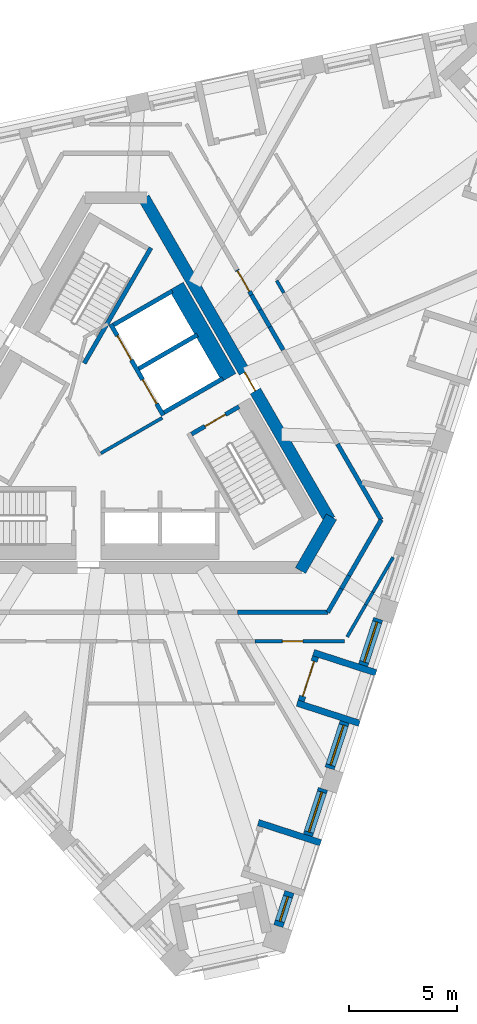
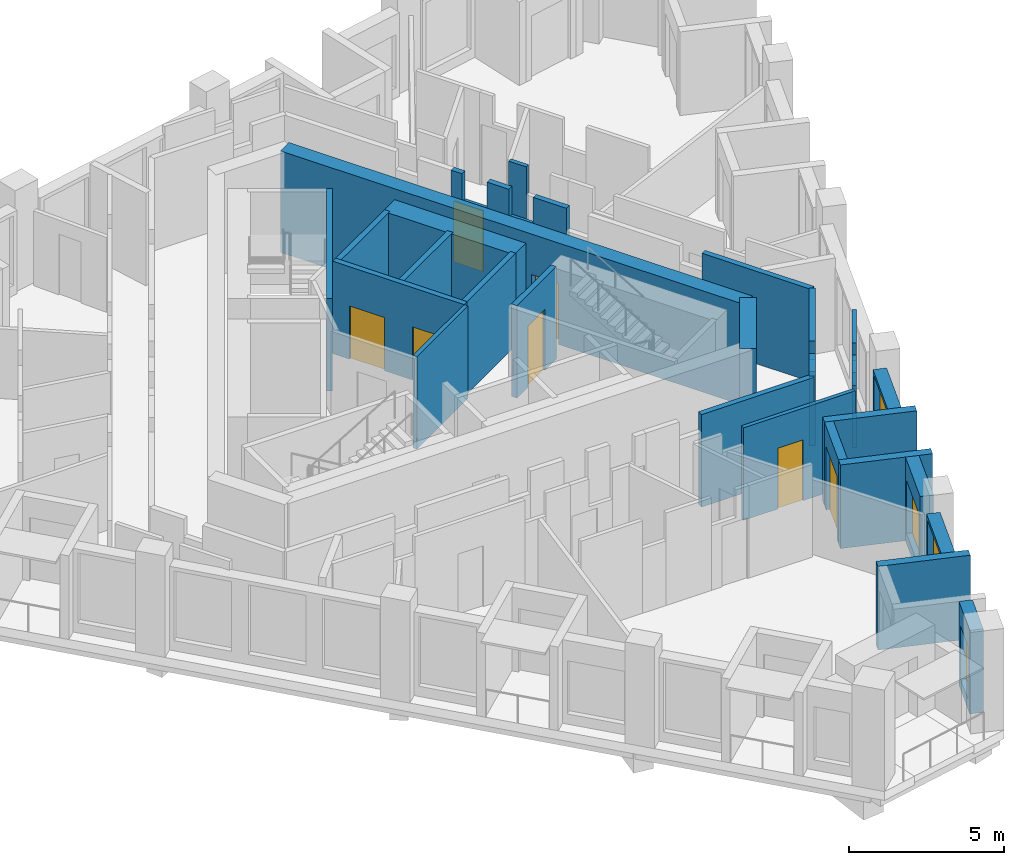
# One storey, part 5 of 13: 32 walls, 7 doors, 4 windows, 11 openings.
"""IFC4 building model written with IfcOpenShell, lengths in metres."""

from ifc_helpers import new_model, si_unit, direction, frame, frame_2d, origin, place, context, subcontext, project, spatial, polyline, rectangle, outline, extrude, material, layer, layer_set, type_object, element, fill, save


model = new_model("IFC4")

# Units and contexts
model_context = context("Model", 3, precision=1e-05, world=origin(), true_north=direction((0.0, 1.0)))
body_context = subcontext(model_context, "Body", "Model", "MODEL_VIEW")
ifc_project = project(units=[si_unit("LENGTHUNIT", "METRE"), si_unit("AREAUNIT", "SQUARE_METRE"), si_unit("VOLUMEUNIT", "CUBIC_METRE"), si_unit("PLANEANGLEUNIT", "RADIAN"), si_unit("MASSUNIT", "GRAM", prefix="KILO")], contexts=[model_context])

# Site, building, storey
site_placement = place(None, origin())
site = spatial("IfcSite", under=ifc_project, at=site_placement, CompositionType="ELEMENT")
building_placement = place(site_placement, origin())
building = spatial("IfcBuilding", under=site, at=building_placement, Name="Tramontana Tower", CompositionType="ELEMENT")
storey_placement = place(building_placement, frame((0.0, 0.0, 328.39990234375)))
storey = spatial("IfcBuildingStorey", under=building, at=storey_placement, Name="L75", CompositionType="ELEMENT", Elevation=328.39990234375)

# Wall
ifc_material_1 = material(Name="Concrete 70 MPa", Category="concrete")
ifc_layer_1 = layer(ifc_material_1, 0.550048828125)
ifc_layer_set_1 = layer_set([ifc_layer_1], Name="Core wall 550 70 MPa")
wall_type_1 = type_object("IfcWallType", Name="Core wall 550 70 MPa", PredefinedType="SHEAR", material=ifc_layer_set_1)
wall_1_placement = place(storey_placement, frame((8.56640625, -6.612548828125, 0.0), z_axis=(0.0, 0.0, 1.0), x_axis=(0.499995765644, 0.866027848477, 0.0)))
element("IfcWall", 1, at=wall_1_placement, inside=storey, type_object=wall_type_1, Name="Core wall C4 L75", PredefinedType="SHEAR", context=body_context, shape_type="SweptSolid", body=[
    extrude(rectangle(XDim=2.88671875, YDim=0.550048828125, at=frame_2d((1.443359375, 0.0))), origin(), (0.0, 0.0, 1.0), 4.0),
])

# Wall, opening, door
wall_2_placement = place(storey_placement, frame((9.930419921875, -4.25, 0.0), z_axis=(0.0, 0.0, 1.0), x_axis=(-0.499994590896, 0.86602852671, 0.0)))
wall_2 = element("IfcWall", 2, at=wall_2_placement, inside=storey, type_object=wall_type_1, Name="Core wall C5 L75", PredefinedType="SHEAR", context=body_context, shape_type="SweptSolid", body=[
    extrude(rectangle(XDim=17.291748046875, YDim=0.550048828125, at=frame_2d((8.64599609375, 0.0))), origin(), (0.0, 0.0, 1.0), 4.0),
])
opening_1_placement = place(wall_2_placement, frame((6.9208984375, 0.0, 0.0)))
opening_1 = element("IfcOpeningElement", 3, at=opening_1_placement, cuts=wall_2, Name="Opening RG3", PredefinedType="OPENING", context=body_context, shape_type="SweptSolid", body=[
    extrude(rectangle(XDim=1.0, YDim=2.39990234375, at=frame_2d((0.5, 1.199951171875))), frame((0.0, 0.284912109375, 0.0), z_axis=(0.0, -1.0, 0.0), x_axis=(1.0, 0.0, 0.0)), (0.0, 0.0, 1.0), 0.570068359375),
])
ifc_material_2 = material(Name="Painted steel", Category="steel")
door_type_1 = type_object("IfcDoorType", Name="RING DOOR 1000", OperationType="SINGLE_SWING_LEFT", PredefinedType="DOOR", material=ifc_material_2)
door_1_placement = place(opening_1_placement, origin())
door_1 = element("IfcDoor", 4, at=door_1_placement, inside=storey, type_object=door_type_1, Name="Door RG3", OperationType="SINGLE_SWING_LEFT", OverallHeight=2.39990234375, OverallWidth=1.0, PredefinedType="DOOR", context=body_context, shape_type="SweptSolid", body=[
    extrude(rectangle(XDim=1.0, YDim=2.39990234375, at=frame_2d((0.5, 1.199951171875))), frame((0.0, 0.02490234375, 0.0), z_axis=(0.0, -1.0, 0.0), x_axis=(1.0, 0.0, 0.0)), (0.0, 0.0, 1.0), 0.050048828125),
])
fill(opening_1, door_1)

# Walls
ifc_material_3 = material(Name="Blockwork", Category="masonry")
ifc_layer_2 = layer(ifc_material_3, 0.199951171875)
ifc_layer_set_2 = layer_set([ifc_layer_2], Name="ENTRY WALL 200")
wall_type_2 = type_object("IfcWallType", Name="ENTRY WALL 200", PredefinedType="SOLIDWALL", material=ifc_layer_set_2)
wall_3_placement = place(storey_placement, frame((12.326416015625, -4.25, 0.0), z_axis=(0.0, 0.0, 1.0), x_axis=(-0.500003959331, -0.866023117852, 0.0)))
element("IfcWall", 5, at=wall_3_placement, inside=storey, type_object=wall_type_2, Name="Wall v80-ew0-0", PredefinedType="SOLIDWALL", context=body_context, shape_type="SweptSolid", body=[
    extrude(rectangle(XDim=3.0029296875, YDim=0.199951171875, at=frame_2d((1.50146484375, 0.0))), origin(), (0.0, 0.0, 1.0), 3.650146484375),
])
wall_4_placement = place(storey_placement, frame((10.824951171875, -6.8505859375, 0.0), z_axis=(0.0, 0.0, 1.0), x_axis=(-0.500144223137, -0.865942120504, 0.0)))
element("IfcWall", 6, at=wall_4_placement, inside=storey, type_object=wall_type_2, Name="Wall v80-ew0-1", PredefinedType="SOLIDWALL", context=body_context, shape_type="SweptSolid", body=[
    extrude(rectangle(XDim=0.701416015625, YDim=0.199951171875, at=frame_2d((0.3505859375, 0.0))), origin(), (0.0, 0.0, 1.0), 2.9501953125),
])
wall_5_placement = place(storey_placement, frame((10.47412109375, -7.4580078125, 0.0), z_axis=(0.0, 0.0, 1.0), x_axis=(-0.499929168788, -0.866066294342, 0.0)))
element("IfcWall", 7, at=wall_5_placement, inside=storey, type_object=wall_type_2, Name="Wall v80-ew0-2", PredefinedType="SOLIDWALL", context=body_context, shape_type="SweptSolid", body=[
    extrude(rectangle(XDim=1.260986328125, YDim=0.199951171875, at=frame_2d((0.63037109375, 0.0))), origin(), (0.0, 0.0, 1.0), 3.650146484375),
])
wall_6_placement = place(storey_placement, frame((9.84375, -8.550048828125, 0.0), z_axis=(0.0, 0.0, 1.0), x_axis=(-1.0, 0.0, 0.0)))
element("IfcWall", 8, at=wall_6_placement, inside=storey, type_object=wall_type_2, Name="Wall v80-ew1-0", PredefinedType="SOLIDWALL", context=body_context, shape_type="SweptSolid", body=[
    extrude(rectangle(XDim=4.1943359375, YDim=0.199951171875, at=frame_2d((2.09716796875, 0.0))), origin(), (0.0, 0.0, 1.0), 3.650146484375),
])

# Wall, opening, door
wall_7_placement = place(storey_placement, frame((5.61767578125, 7.369873046875, 0.0), z_axis=(0.0, 0.0, 1.0), x_axis=(0.500005339912, -0.866022320763, 0.0)))
wall_7 = element("IfcWall", 9, at=wall_7_placement, inside=storey, type_object=wall_type_2, Name="Wall v80-ew5-3", PredefinedType="SOLIDWALL", context=body_context, shape_type="SweptSolid", body=[
    extrude(outline(polyline([(0.0, 0.0), (1.3447265625, 0.0), (1.3447265625, 2.550048828125), (0.40087890625, 2.550048828125), (0.40087890625, 3.650146484375), (0.0, 3.650146484375), (0.0, 0.0)])), frame((0.0, 0.10009765625, 0.0), z_axis=(0.0, -1.0, 0.0), x_axis=(1.0, 0.0, 0.0)), (0.0, 0.0, 1.0), 0.199951171875),
])
opening_2_placement = place(wall_7_placement, frame((0.050048828125, 0.0, 0.0)))
opening_2 = element("IfcOpeningElement", 10, at=opening_2_placement, cuts=wall_7, Name="Opening B8A-21", PredefinedType="OPENING", context=body_context, shape_type="SweptSolid", body=[
    extrude(rectangle(XDim=1.10009765625, YDim=2.39990234375, at=frame_2d((0.550048828125, 1.199951171875))), frame((0.0, 0.10986328125, 0.0), z_axis=(0.0, -1.0, 0.0), x_axis=(1.0, 0.0, 0.0)), (0.0, 0.0, 1.0), 0.219970703125),
])
ifc_material_4 = material(Name="Painted timber", Category="wood")
door_type_2 = type_object("IfcDoorType", Name="DOOR ENTRY 1100", OperationType="SINGLE_SWING_LEFT", PredefinedType="DOOR", material=ifc_material_4)
door_2_placement = place(opening_2_placement, origin())
door_2 = element("IfcDoor", 11, at=door_2_placement, inside=storey, type_object=door_type_2, Name="Door B8A-21", OperationType="SINGLE_SWING_LEFT", OverallHeight=2.39990234375, OverallWidth=1.10009765625, PredefinedType="DOOR", context=body_context, shape_type="SweptSolid", body=[
    extrude(rectangle(XDim=1.10009765625, YDim=2.39990234375, at=frame_2d((0.550048828125, 1.199951171875))), frame((0.0, 0.02490234375, 0.0), z_axis=(0.0, -1.0, 0.0), x_axis=(1.0, 0.0, 0.0)), (0.0, 0.0, 1.0), 0.050048828125),
])
fill(opening_2, door_2)

# Walls
wall_8_placement = place(storey_placement, frame((6.2900390625, 6.205322265625, 0.0), z_axis=(0.0, 0.0, 1.0), x_axis=(0.500045602705, -0.86599907345, 0.0)))
element("IfcWall", 12, at=wall_8_placement, inside=storey, type_object=wall_type_2, Name="Wall v80-ew5-4", PredefinedType="SOLIDWALL", context=body_context, shape_type="SweptSolid", body=[
    extrude(rectangle(XDim=0.806640625, YDim=0.199951171875, at=frame_2d((0.4033203125, 0.0))), origin(), (0.0, 0.0, 1.0), 3.650146484375),
])
wall_9_placement = place(storey_placement, frame((6.693359375, 5.5068359375, 0.0), z_axis=(0.0, 0.0, 1.0), x_axis=(0.499994660107, -0.866028486751, 0.0)))
element("IfcWall", 13, at=wall_9_placement, inside=storey, type_object=wall_type_2, Name="Wall v80-ew5-5", PredefinedType="SOLIDWALL", context=body_context, shape_type="SweptSolid", body=[
    extrude(rectangle(XDim=0.90576171875, YDim=0.199951171875, at=frame_2d((0.452880859375, 0.0))), origin(), (0.0, 0.0, 1.0), 2.550048828125),
])
wall_10_placement = place(storey_placement, frame((7.146240234375, 4.722412109375, 0.0), z_axis=(0.0, 0.0, 1.0), x_axis=(0.499955681623, -0.866050989499, 0.0)))
element("IfcWall", 14, at=wall_10_placement, inside=storey, type_object=wall_type_2, Name="Wall v80-ew5-6", PredefinedType="SOLIDWALL", context=body_context, shape_type="SweptSolid", body=[
    extrude(rectangle(XDim=1.23828125, YDim=0.199951171875, at=frame_2d((0.619140625, 0.0))), origin(), (0.0, 0.0, 1.0), 3.650146484375),
])
wall_11_placement = place(storey_placement, frame((10.29345703125, -0.72900390625, 0.0), z_axis=(0.0, 0.0, 1.0), x_axis=(0.50002046505, -0.86601358796, 0.0)))
element("IfcWall", 15, at=wall_11_placement, inside=storey, type_object=wall_type_2, Name="Wall v80-ew5-10", PredefinedType="SOLIDWALL", context=body_context, shape_type="SweptSolid", body=[
    extrude(rectangle(XDim=4.065673828125, YDim=0.199951171875, at=frame_2d((2.03271484375, 0.0))), origin(), (0.0, 0.0, 1.0), 3.650146484375),
])

# Wall, opening, window
ifc_material_5 = material(Name="Precast concrete 60 MPa", Category="concrete")
ifc_layer_3 = layer(ifc_material_5, 0.449951171875)
ifc_layer_set_3 = layer_set([ifc_layer_3], Name="Precast concrete 60 MPa, 450 mm")
wall_type_3 = type_object("IfcWallType", Name="EW1 Stone-faced precast wall 450", PredefinedType="SOLIDWALL", material=ifc_layer_set_3)
wall_12_placement = place(storey_placement, frame((7.541015625, -23.14794921875, 0.0), z_axis=(0.0, 0.0, 1.0), x_axis=(0.308944042168, 0.951080216811, 0.0)))
wall_12 = element("IfcWall", 16, at=wall_12_placement, inside=storey, type_object=wall_type_3, Name="External wall L75 face 1 bay 1", PredefinedType="SOLIDWALL", context=body_context, shape_type="SweptSolid", body=[
    extrude(rectangle(XDim=1.67138671875, YDim=0.449951171875, at=frame_2d((0.835693359375, 0.0))), origin(), (0.0, 0.0, 1.0), 3.300048828125),
])
opening_3_placement = place(wall_12_placement, frame((0.235595703125, 0.0, 0.39990234375)))
opening_3 = element("IfcOpeningElement", 17, at=opening_3_placement, cuts=wall_12, Name="Opening N3L", PredefinedType="OPENING", context=body_context, shape_type="SweptSolid", body=[
    extrude(rectangle(XDim=1.199951171875, YDim=2.10009765625, at=frame_2d((0.60009765625, 1.050048828125))), frame((0.0, 0.23486328125, 0.0), z_axis=(0.0, -1.0, 0.0), x_axis=(1.0, 0.0, 0.0)), (0.0, 0.0, 1.0), 0.469970703125),
])
ifc_material_6 = material(Name="Aluminum frame, double glazing unit", Category="aluminium")
window_type_1 = type_object("IfcWindowType", Name="N3L Window 1.2 x 2.1", PartitioningType="SINGLE_PANEL", PredefinedType="WINDOW", material=ifc_material_6)
window_1_placement = place(opening_3_placement, origin())
window_1 = element("IfcWindow", 18, at=window_1_placement, inside=storey, type_object=window_type_1, Name="Window N3L L75 face 1 module 1", OverallHeight=2.10009765625, OverallWidth=1.199951171875, PartitioningType="SINGLE_PANEL", PredefinedType="WINDOW", context=body_context, shape_type="SweptSolid", body=[
    extrude(rectangle(XDim=1.199951171875, YDim=2.10009765625, at=frame_2d((0.60009765625, 1.050048828125))), frame((0.0, 0.030029296875, 0.0), z_axis=(0.0, -1.0, 0.0), x_axis=(1.0, 0.0, 0.0)), (0.0, 0.0, 1.0), 0.06005859375),
])
fill(opening_3, window_1)

wall_13_placement = place(storey_placement, frame((8.913818359375, -18.922607421875, 0.0), z_axis=(0.0, 0.0, 1.0), x_axis=(0.309059334219, 0.951042758204, 0.0)))
wall_13 = element("IfcWall", 19, at=wall_13_placement, inside=storey, type_object=wall_type_3, Name="External wall L75 face 1 bay 1", PredefinedType="SOLIDWALL", context=body_context, shape_type="SweptSolid", body=[
    extrude(rectangle(XDim=2.27099609375, YDim=0.449951171875, at=frame_2d((1.135498046875, 0.0))), origin(), (0.0, 0.0, 1.0), 3.300048828125),
])
opening_4_placement = place(wall_13_placement, frame((0.16064453125, 0.0, 0.39990234375)))
opening_4 = element("IfcOpeningElement", 20, at=opening_4_placement, cuts=wall_13, Name="Opening M3", PredefinedType="OPENING", context=body_context, shape_type="SweptSolid", body=[
    extrude(rectangle(XDim=1.949951171875, YDim=2.75, at=frame_2d((0.97509765625, 1.375))), frame((0.0, 0.23486328125, 0.0), z_axis=(0.0, -1.0, 0.0), x_axis=(1.0, 0.0, 0.0)), (0.0, 0.0, 1.0), 0.469970703125),
])
ifc_material_7 = material(Name="Aluminum frame, double glazing unit", Category="aluminium")
window_type_2 = type_object("IfcWindowType", Name="M3 Window 1.95 x 2.75", PartitioningType="SINGLE_PANEL", PredefinedType="WINDOW", material=ifc_material_7)
window_2_placement = place(opening_4_placement, origin())
window_2 = element("IfcWindow", 21, at=window_2_placement, inside=storey, type_object=window_type_2, Name="Window M3 L75 face 1 module 3", OverallHeight=2.75, OverallWidth=1.949951171875, PartitioningType="SINGLE_PANEL", PredefinedType="WINDOW", context=body_context, shape_type="SweptSolid", body=[
    extrude(rectangle(XDim=1.949951171875, YDim=2.75, at=frame_2d((0.97509765625, 1.375))), frame((0.0, 0.030029296875, 0.0), z_axis=(0.0, -1.0, 0.0), x_axis=(1.0, 0.0, 0.0)), (0.0, 0.0, 1.0), 0.06005859375),
])
fill(opening_4, window_2)

wall_14_placement = place(storey_placement, frame((9.9248046875, -15.8115234375, 0.0), z_axis=(0.0, 0.0, 1.0), x_axis=(0.308930512416, 0.95108461164, 0.0)))
wall_14 = element("IfcWall", 22, at=wall_14_placement, inside=storey, type_object=wall_type_3, Name="External wall L75 face 1 bay 2", PredefinedType="SOLIDWALL", context=body_context, shape_type="SweptSolid", body=[
    extrude(rectangle(XDim=2.271240234375, YDim=0.449951171875, at=frame_2d((1.1357421875, 0.0))), origin(), (0.0, 0.0, 1.0), 3.300048828125),
])
opening_5_placement = place(wall_14_placement, frame((0.16064453125, 0.0, 0.39990234375)))
opening_5 = element("IfcOpeningElement", 23, at=opening_5_placement, cuts=wall_14, Name="Opening M3L", PredefinedType="OPENING", context=body_context, shape_type="SweptSolid", body=[
    extrude(rectangle(XDim=1.949951171875, YDim=2.10009765625, at=frame_2d((0.97509765625, 1.050048828125))), frame((0.0, 0.23486328125, 0.0), z_axis=(0.0, -1.0, 0.0), x_axis=(1.0, 0.0, 0.0)), (0.0, 0.0, 1.0), 0.469970703125),
])
ifc_material_8 = material(Name="Aluminum frame, double glazing unit", Category="aluminium")
window_type_3 = type_object("IfcWindowType", Name="M3L Window 1.95 x 2.1", PartitioningType="SINGLE_PANEL", PredefinedType="WINDOW", material=ifc_material_8)
window_3_placement = place(opening_5_placement, origin())
window_3 = element("IfcWindow", 24, at=window_3_placement, inside=storey, type_object=window_type_3, Name="Window M3L L75 face 1 module 4", OverallHeight=2.10009765625, OverallWidth=1.949951171875, PartitioningType="SINGLE_PANEL", PredefinedType="WINDOW", context=body_context, shape_type="SweptSolid", body=[
    extrude(rectangle(XDim=1.949951171875, YDim=2.10009765625, at=frame_2d((0.97509765625, 1.050048828125))), frame((0.0, 0.030029296875, 0.0), z_axis=(0.0, -1.0, 0.0), x_axis=(1.0, 0.0, 0.0)), (0.0, 0.0, 1.0), 0.06005859375),
])
fill(opening_5, window_3)

wall_15_placement = place(storey_placement, frame((11.48291015625, -11.015869140625, 0.0), z_axis=(0.0, 0.0, 1.0), x_axis=(0.309027740273, 0.951053024674, 0.0)))
wall_15 = element("IfcWall", 25, at=wall_15_placement, inside=storey, type_object=wall_type_3, Name="External wall L75 face 1 bay 2", PredefinedType="SOLIDWALL", context=body_context, shape_type="SweptSolid", body=[
    extrude(rectangle(XDim=2.271240234375, YDim=0.449951171875, at=frame_2d((1.1357421875, 0.0))), origin(), (0.0, 0.0, 1.0), 3.300048828125),
])
opening_6_placement = place(wall_15_placement, frame((0.16064453125, 0.0, 0.39990234375)))
opening_6 = element("IfcOpeningElement", 26, at=opening_6_placement, cuts=wall_15, Name="Opening M3", PredefinedType="OPENING", context=body_context, shape_type="SweptSolid", body=[
    extrude(rectangle(XDim=1.949951171875, YDim=2.75, at=frame_2d((0.97509765625, 1.375))), frame((0.0, 0.23486328125, 0.0), z_axis=(0.0, -1.0, 0.0), x_axis=(1.0, 0.0, 0.0)), (0.0, 0.0, 1.0), 0.469970703125),
])
window_4_placement = place(opening_6_placement, origin())
window_4 = element("IfcWindow", 27, at=window_4_placement, inside=storey, type_object=window_type_2, Name="Window M3 L75 face 1 module 6", OverallHeight=2.75, OverallWidth=1.949951171875, PartitioningType="SINGLE_PANEL", PredefinedType="WINDOW", context=body_context, shape_type="SweptSolid", body=[
    extrude(rectangle(XDim=1.949951171875, YDim=2.75, at=frame_2d((0.97509765625, 1.375))), frame((0.0, 0.030029296875, 0.0), z_axis=(0.0, -1.0, 0.0), x_axis=(1.0, 0.0, 0.0)), (0.0, 0.0, 1.0), 0.06005859375),
])
fill(opening_6, window_4)

# Wall
ifc_material_9 = material(Name="Precast concrete 60 MPa", Category="concrete")
ifc_layer_4 = layer(ifc_material_9, 0.300048828125)
ifc_layer_set_4 = layer_set([ifc_layer_4], Name="LW1 Stone-faced loggia wall 300")
wall_type_4 = type_object("IfcWallType", Name="LW1 Stone-faced loggia wall 300", PredefinedType="SOLIDWALL", material=ifc_layer_set_4)
wall_16_placement = place(storey_placement, frame((9.509521484375, -19.27392578125, 0.0), z_axis=(0.0, 0.0, 1.0), x_axis=(-0.951072883748, 0.308966615996, 0.0)))
element("IfcWall", 28, at=wall_16_placement, inside=storey, type_object=wall_type_4, Name="Loggia return L75 G8S1.1b", PredefinedType="SOLIDWALL", context=body_context, shape_type="SweptSolid", body=[
    extrude(rectangle(XDim=3.050048828125, YDim=0.300048828125, at=frame_2d((1.52490234375, 0.0))), origin(), (0.0, 0.0, 1.0), 3.300048828125),
])

# Wall, opening, door
wall_17_placement = place(storey_placement, frame((8.603271484375, -12.678466796875, 0.0), z_axis=(0.0, 0.0, 1.0), x_axis=(0.308999623589, 0.95106216023, 0.0)))
wall_17 = element("IfcWall", 29, at=wall_17_placement, inside=storey, type_object=wall_type_4, Name="Loggia wall L75 G8S1.4", PredefinedType="SOLIDWALL", context=body_context, shape_type="SweptSolid", body=[
    extrude(rectangle(XDim=2.171142578125, YDim=0.300048828125, at=frame_2d((1.08544921875, 0.0))), origin(), (0.0, 0.0, 1.0), 3.300048828125),
])
opening_7_placement = place(wall_17_placement, frame((0.235595703125, 0.0, 0.0)))
opening_7 = element("IfcOpeningElement", 30, at=opening_7_placement, cuts=wall_17, Name="Opening BD-8S1-04", PredefinedType="OPENING", context=body_context, shape_type="SweptSolid", body=[
    extrude(rectangle(XDim=1.699951171875, YDim=2.5, at=frame_2d((0.85009765625, 1.25))), frame((0.0, 0.159912109375, 0.0), z_axis=(0.0, -1.0, 0.0), x_axis=(1.0, 0.0, 0.0)), (0.0, 0.0, 1.0), 0.320068359375),
])
ifc_material_10 = material(Name="Aluminum frame, double glazing unit", Category="aluminium")
door_type_3 = type_object("IfcDoorType", Name="BD3 Sliding door 1.7 x 2.5", OperationType="SLIDING_TO_LEFT", PredefinedType="DOOR", material=ifc_material_10)
door_3_placement = place(opening_7_placement, origin())
door_3 = element("IfcDoor", 31, at=door_3_placement, inside=storey, type_object=door_type_3, Name="Loggia door L75 G8S1.4", OperationType="SLIDING_TO_LEFT", OverallHeight=2.5, OverallWidth=1.699951171875, PredefinedType="DOOR", context=body_context, shape_type="SweptSolid", body=[
    extrude(rectangle(XDim=1.699951171875, YDim=2.5, at=frame_2d((0.85009765625, 1.25))), frame((0.0, 0.02490234375, 0.0), z_axis=(0.0, -1.0, 0.0), x_axis=(1.0, 0.0, 0.0)), (0.0, 0.0, 1.0), 0.050048828125),
])
fill(opening_7, door_3)

# Walls
for number, where, z_axis, x_axis, name in (
    (32, (11.31494140625, -13.71728515625, 0.0), (0.0, 0.0, 1.0), (-0.951072883748, 0.308966615996, 0.0), "Loggia return L75 G8S1.4a"),
    (33, (12.07861328125, -11.366943359375, 0.0), (0.0, 0.0, 1.0), (-0.951072883748, 0.308966615996, 0.0), "Loggia return L75 G8S1.4b"),
):
    element("IfcWall", number, at=place(storey_placement, frame(where, z_axis=z_axis, x_axis=x_axis)), inside=storey, type_object=wall_type_4, Name=name, PredefinedType="SOLIDWALL", context=body_context, shape_type="SweptSolid", body=[
        extrude(rectangle(XDim=3.050048828125, YDim=0.300048828125, at=frame_2d((1.52490234375, 0.0))), origin(), (0.0, 0.0, 1.0), 3.300048828125),
    ])
ifc_material_11 = material(Name="Gypsum board partition")
ifc_layer_5 = layer(ifc_material_11, 0.14990234375)
ifc_layer_set_5 = layer_set([ifc_layer_5], Name="PARTITION 150")
wall_type_5 = type_object("IfcWallType", Name="PARTITION 150", PredefinedType="PARTITIONING", material=ifc_layer_set_5)
wall_18_placement = place(storey_placement, frame((-0.716796875, -1.15869140625, 0.0), z_axis=(0.0, 0.0, 1.0), x_axis=(0.866008176907, 0.50002983664, 0.0)))
element("IfcWall", 34, at=wall_18_placement, inside=storey, type_object=wall_type_5, Name="Wall ff-end0", PredefinedType="PARTITIONING", context=body_context, shape_type="SweptSolid", body=[
    extrude(rectangle(XDim=3.300048828125, YDim=0.14990234375, at=frame_2d((1.64990234375, 0.0))), origin(), (0.0, 0.0, 1.0), 3.650146484375),
])
wall_19_placement = place(storey_placement, frame((7.4619140625, 6.875732421875, 0.0), z_axis=(0.0, 0.0, 1.0), x_axis=(0.499914360624, -0.866074842056, 0.0)))
element("IfcWall", 35, at=wall_19_placement, inside=storey, type_object=wall_type_5, Name="Wall v80-pw25-0", PredefinedType="PARTITIONING", context=body_context, shape_type="SweptSolid", body=[
    extrude(rectangle(XDim=0.66064453125, YDim=0.14990234375, at=frame_2d((0.330322265625, 0.0))), origin(), (0.0, 0.0, 1.0), 3.650146484375),
])

# Wall, opening, door
wall_20_placement = place(storey_placement, frame((10.623291015625, -9.89990234375, 0.0), z_axis=(0.0, 0.0, 1.0), x_axis=(-1.0, 0.0, 0.0)))
wall_20 = element("IfcWall", 36, at=wall_20_placement, inside=storey, type_object=wall_type_5, Name="Wall v80-pw27-0", PredefinedType="PARTITIONING", context=body_context, shape_type="SweptSolid", body=[
    extrude(rectangle(XDim=4.161376953125, YDim=0.14990234375, at=frame_2d((2.08056640625, 0.0))), origin(), (0.0, 0.0, 1.0), 3.650146484375),
])
opening_8_placement = place(wall_20_placement, frame((1.94140625, 0.0, 0.0)))
opening_8 = element("IfcOpeningElement", 37, at=opening_8_placement, cuts=wall_20, Name="Opening B8A-11", PredefinedType="OPENING", context=body_context, shape_type="SweptSolid", body=[
    extrude(rectangle(XDim=0.949951171875, YDim=2.39990234375, at=frame_2d((0.47509765625, 1.199951171875))), frame((0.0, 0.0849609375, 0.0), z_axis=(0.0, -1.0, 0.0), x_axis=(1.0, 0.0, 0.0)), (0.0, 0.0, 1.0), 0.169921875),
])
ifc_material_12 = material(Name="Painted timber", Category="wood")
door_type_4 = type_object("IfcDoorType", Name="DOOR ROOM 950", OperationType="SINGLE_SWING_LEFT", PredefinedType="DOOR", material=ifc_material_12)
door_4_placement = place(opening_8_placement, origin())
door_4 = element("IfcDoor", 38, at=door_4_placement, inside=storey, type_object=door_type_4, Name="Door B8A-11", OperationType="SINGLE_SWING_LEFT", OverallHeight=2.39990234375, OverallWidth=0.949951171875, PredefinedType="DOOR", context=body_context, shape_type="SweptSolid", body=[
    extrude(rectangle(XDim=0.949951171875, YDim=2.39990234375, at=frame_2d((0.47509765625, 1.199951171875))), frame((0.0, 0.02490234375, 0.0), z_axis=(0.0, -1.0, 0.0), x_axis=(1.0, 0.0, 0.0)), (0.0, 0.0, 1.0), 0.050048828125),
])
fill(opening_8, door_4)

# Walls
wall_21_placement = place(storey_placement, frame((12.877685546875, -5.995361328125, 0.0), z_axis=(0.0, 0.0, 1.0), x_axis=(-0.500053707499, -0.865994393525, 0.0)))
element("IfcWall", 39, at=wall_21_placement, inside=storey, type_object=wall_type_5, Name="Wall v80-pw30-0", PredefinedType="PARTITIONING", context=body_context, shape_type="SweptSolid", body=[
    extrude(rectangle(XDim=1.871337890625, YDim=0.14990234375, at=frame_2d((0.935546875, 0.0))), origin(), (0.0, 0.0, 1.0), 3.650146484375),
])
wall_22_placement = place(storey_placement, frame((11.94189453125, -7.615966796875, 0.0), z_axis=(0.0, 0.0, 1.0), x_axis=(-0.499826590014, -0.866125498941, 0.0)))
element("IfcWall", 40, at=wall_22_placement, inside=storey, type_object=wall_type_5, Name="Wall v80-pw30-1", PredefinedType="PARTITIONING", context=body_context, shape_type="SweptSolid", body=[
    extrude(rectangle(XDim=0.676513671875, YDim=0.14990234375, at=frame_2d((0.33837890625, 0.0))), origin(), (0.0, 0.0, 1.0), 2.9501953125),
])
wall_23_placement = place(storey_placement, frame((11.603759765625, -8.201904296875, 0.0), z_axis=(0.0, 0.0, 1.0), x_axis=(-0.499992114976, -0.866029956157, 0.0)))
element("IfcWall", 41, at=wall_23_placement, inside=storey, type_object=wall_type_5, Name="Wall v80-pw30-2", PredefinedType="PARTITIONING", context=body_context, shape_type="SweptSolid", body=[
    extrude(rectangle(XDim=1.72412109375, YDim=0.14990234375, at=frame_2d((0.862060546875, 0.0))), origin(), (0.0, 0.0, 1.0), 3.650146484375),
])
ifc_material_13 = material(Name="Concrete 70 MPa", Category="concrete")
ifc_layer_6 = layer(ifc_material_13, 0.75)
ifc_layer_set_6 = layer_set([ifc_layer_6], Name="Concrete 70 MPa, 750 mm")
wall_type_6 = type_object("IfcWallType", Name="RC SHAFT BACK WALL 750", PredefinedType="SOLIDWALL", material=ifc_layer_set_6)
wall_24_placement = place(storey_placement, frame((5.242919921875, 2.368896484375, 0.0), z_axis=(0.0, 0.0, 1.0), x_axis=(-0.500002801628, 0.866023786258, 0.0)))
element("IfcWall", 42, at=wall_24_placement, inside=storey, type_object=wall_type_6, Name="Wall row2-back", PredefinedType="SOLIDWALL", context=body_context, shape_type="SweptSolid", body=[
    extrude(rectangle(XDim=4.89990234375, YDim=0.75, at=frame_2d((2.449951171875, 0.0))), origin(), (0.0, 0.0, 1.0), 3.650146484375),
])
ifc_material_14 = material(Name="Concrete 70 MPa", Category="concrete")
ifc_layer_7 = layer(ifc_material_14, 0.199951171875)
ifc_layer_set_7 = layer_set([ifc_layer_7], Name="Concrete 70 MPa, 200 mm")
wall_type_7 = type_object("IfcWallType", Name="RC STAIR AND SHAFT WALL 200", PredefinedType="SOLIDWALL", material=ifc_layer_set_7)
wall_25_placement = place(storey_placement, frame((1.615234375, 8.3974609375, 0.0), z_axis=(0.0, 0.0, 1.0), x_axis=(-0.500009909098, -0.866019682689, 0.0)))
element("IfcWall", 43, at=wall_25_placement, inside=storey, type_object=wall_type_7, Name="Wall st1-front", PredefinedType="SOLIDWALL", context=body_context, shape_type="SweptSolid", body=[
    extrude(rectangle(XDim=6.199951171875, YDim=0.199951171875, at=frame_2d((3.10009765625, 0.0))), origin(), (0.0, 0.0, 1.0), 3.650146484375),
])

# Wall, opening, door
wall_26_placement = place(storey_placement, frame((3.50146484375, -0.2646484375, 0.0), z_axis=(0.0, 0.0, 1.0), x_axis=(0.866030925526, 0.499990435942, 0.0)))
wall_26 = element("IfcWall", 44, at=wall_26_placement, inside=storey, type_object=wall_type_7, Name="Wall st3-near", PredefinedType="SOLIDWALL", context=body_context, shape_type="SweptSolid", body=[
    extrude(rectangle(XDim=2.5498046875, YDim=0.199951171875, at=frame_2d((1.27490234375, 0.0))), origin(), (0.0, 0.0, 1.0), 3.650146484375),
])
opening_9_placement = place(wall_26_placement, frame((0.72509765625, 0.0, 0.0)))
opening_9 = element("IfcOpeningElement", 45, at=opening_9_placement, cuts=wall_26, Name="Opening SD3", PredefinedType="OPENING", context=body_context, shape_type="SweptSolid", body=[
    extrude(rectangle(XDim=1.10009765625, YDim=2.39990234375, at=frame_2d((0.550048828125, 1.199951171875))), frame((0.0, 0.10986328125, 0.0), z_axis=(0.0, -1.0, 0.0), x_axis=(1.0, 0.0, 0.0)), (0.0, 0.0, 1.0), 0.219970703125),
])
ifc_material_15 = material(Name="Painted steel", Category="steel")
door_type_5 = type_object("IfcDoorType", Name="STAIR DOOR 1100", OperationType="SINGLE_SWING_LEFT", PredefinedType="DOOR", material=ifc_material_15)
door_5_placement = place(opening_9_placement, origin())
door_5 = element("IfcDoor", 46, at=door_5_placement, inside=storey, type_object=door_type_5, Name="Door SD3", OperationType="SINGLE_SWING_RIGHT", OverallHeight=2.39990234375, OverallWidth=1.10009765625, PredefinedType="DOOR", context=body_context, shape_type="SweptSolid", body=[
    extrude(rectangle(XDim=1.10009765625, YDim=2.39990234375, at=frame_2d((0.550048828125, 1.199951171875))), frame((0.0, 0.02490234375, 0.0), z_axis=(0.0, -1.0, 0.0), x_axis=(1.0, 0.0, 0.0)), (0.0, 0.0, 1.0), 0.050048828125),
])
fill(opening_9, door_5)

# Wall, openings, doors
wall_27_placement = place(storey_placement, frame((2.190185546875, 0.6064453125, 0.0), z_axis=(0.0, 0.0, 1.0), x_axis=(-0.500002801628, 0.866023786258, 0.0)))
wall_27 = element("IfcWall", 47, at=wall_27_placement, inside=storey, type_object=wall_type_7, Name="Wall row2-front", PredefinedType="SOLIDWALL", context=body_context, shape_type="SweptSolid", body=[
    extrude(rectangle(XDim=4.89990234375, YDim=0.199951171875, at=frame_2d((2.449951171875, 0.0))), origin(), (0.0, 0.0, 1.0), 3.650146484375),
])
opening_10_placement = place(wall_27_placement, frame((0.625, 0.0, 0.0)))
opening_10 = element("IfcOpeningElement", 48, at=opening_10_placement, cuts=wall_27, Name="Opening LD-F1", PredefinedType="OPENING", context=body_context, shape_type="SweptSolid", body=[
    extrude(rectangle(XDim=1.300048828125, YDim=2.10009765625, at=frame_2d((0.64990234375, 1.050048828125))), frame((0.0, 0.10986328125, 0.0), z_axis=(0.0, -1.0, 0.0), x_axis=(1.0, 0.0, 0.0)), (0.0, 0.0, 1.0), 0.219970703125),
])
opening_11_placement = place(wall_27_placement, frame((2.97509765625, 0.0, 0.0)))
opening_11 = element("IfcOpeningElement", 49, at=opening_11_placement, cuts=wall_27, Name="Opening LD-F2", PredefinedType="OPENING", context=body_context, shape_type="SweptSolid", body=[
    extrude(rectangle(XDim=1.300048828125, YDim=2.10009765625, at=frame_2d((0.64990234375, 1.050048828125))), frame((0.0, 0.10986328125, 0.0), z_axis=(0.0, -1.0, 0.0), x_axis=(1.0, 0.0, 0.0)), (0.0, 0.0, 1.0), 0.219970703125),
])
ifc_material_16 = material(Name="Brushed steel", Category="steel")
door_type_6 = type_object("IfcDoorType", Name="LANDING DOOR 1300", OperationType="SINGLE_SWING_LEFT", PredefinedType="DOOR", material=ifc_material_16)
door_6_placement = place(opening_10_placement, origin())
door_6 = element("IfcDoor", 50, at=door_6_placement, inside=storey, type_object=door_type_6, Name="Door LD-F1", OperationType="SLIDING_TO_RIGHT", OverallHeight=2.10009765625, OverallWidth=1.300048828125, PredefinedType="DOOR", context=body_context, shape_type="SweptSolid", body=[
    extrude(rectangle(XDim=1.300048828125, YDim=2.10009765625, at=frame_2d((0.64990234375, 1.050048828125))), frame((0.0, 0.02490234375, 0.0), z_axis=(0.0, -1.0, 0.0), x_axis=(1.0, 0.0, 0.0)), (0.0, 0.0, 1.0), 0.050048828125),
])
fill(opening_10, door_6)
door_7_placement = place(opening_11_placement, origin())
door_7 = element("IfcDoor", 51, at=door_7_placement, inside=storey, type_object=door_type_6, Name="Door LD-F2", OperationType="SLIDING_TO_LEFT", OverallHeight=2.10009765625, OverallWidth=1.300048828125, PredefinedType="DOOR", context=body_context, shape_type="SweptSolid", body=[
    extrude(rectangle(XDim=1.300048828125, YDim=2.10009765625, at=frame_2d((0.64990234375, 1.050048828125))), frame((0.0, 0.02490234375, 0.0), z_axis=(0.0, -1.0, 0.0), x_axis=(1.0, 0.0, 0.0)), (0.0, 0.0, 1.0), 0.050048828125),
])
fill(opening_11, door_7)

# Walls
for number, where, z_axis, x_axis, name in (
    (52, (2.226806640625, 0.742919921875, 0.0), (0.0, 0.0, 1.0), (0.866035871367, 0.499981869177, 0.0), "Wall row2-side0"),
    (53, (1.0517578125, 2.778076171875, 0.0), (0.0, 0.0, 1.0), (0.866035871367, 0.499981869177, 0.0), "Wall row2-side1"),
    (54, (-0.123046875, 4.813232421875, 0.0), (0.0, 0.0, 1.0), (0.866016494683, 0.500015430699, 0.0), "Wall row2-side2"),
):
    element("IfcWall", number, at=place(storey_placement, frame(where, z_axis=z_axis, x_axis=x_axis)), inside=storey, type_object=wall_type_7, Name=name, PredefinedType="SOLIDWALL", context=body_context, shape_type="SweptSolid", body=[
        extrude(rectangle(XDim=3.14990234375, YDim=0.199951171875, at=frame_2d((1.574951171875, 0.0))), origin(), (0.0, 0.0, 1.0), 3.650146484375),
    ])

save(model, "model.ifc")
